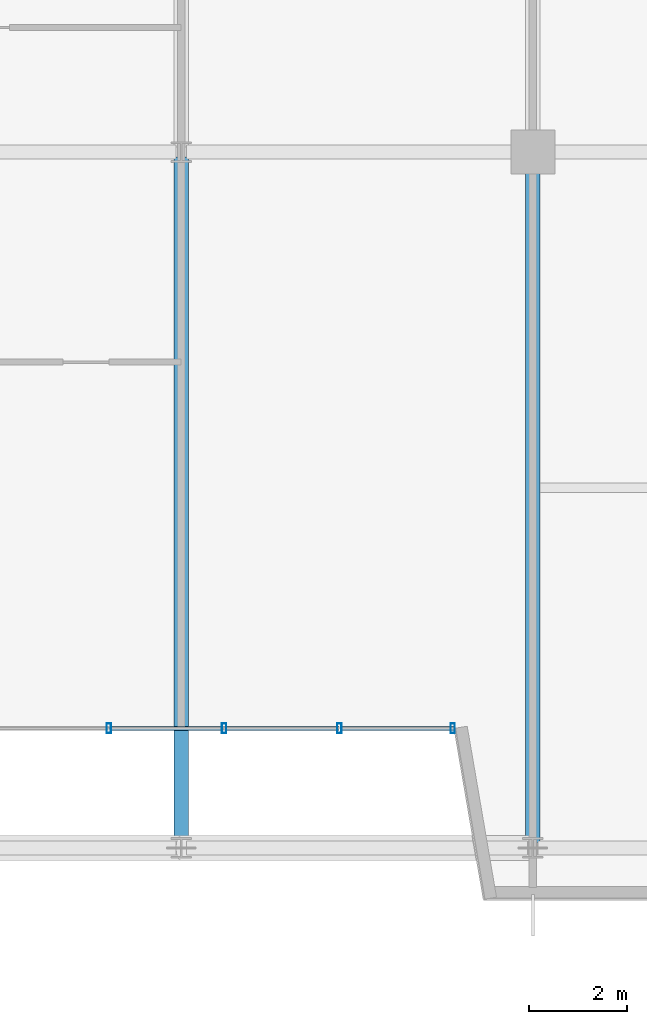
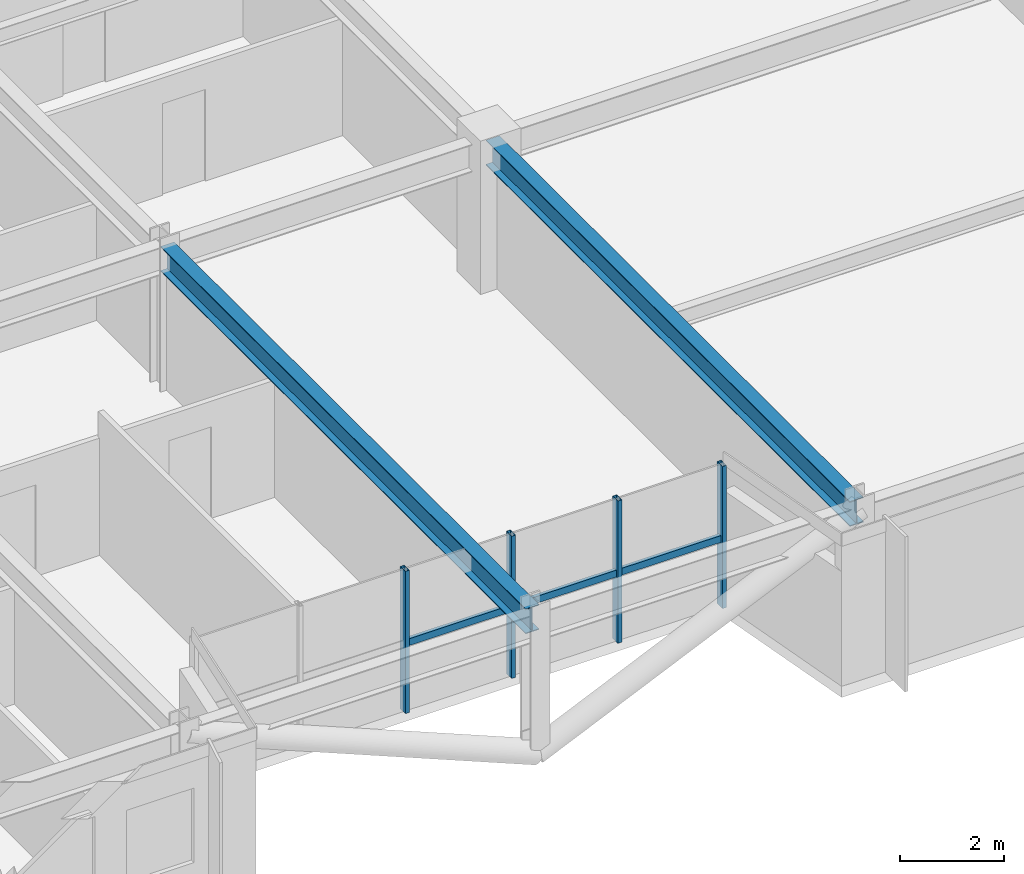
# One storey, part 6 of 25: 7 members, 2 beams, 1 element without a shape of its own.
"""IFC4 building model written with IfcOpenShell, lengths in metres."""

from ifc_helpers import new_model, si_unit, direction, frame, origin, origin_2d, place, context, subcontext, project, spatial, hollow_rectangle, i_section, extrude, source, transform, mapped, material, material_profile, profile_set, type_object, element, aggregate, save


model = new_model("IFC4")

# Units and contexts
model_context = context("Model", 3, precision=1e-05, world=origin(), true_north=direction((0.0, 1.0)))
body_context = subcontext(model_context, "Body", "Model", "MODEL_VIEW")
ifc_project = project(units=[si_unit("LENGTHUNIT", "METRE"), si_unit("AREAUNIT", "SQUARE_METRE"), si_unit("VOLUMEUNIT", "CUBIC_METRE"), si_unit("PLANEANGLEUNIT", "RADIAN"), si_unit("MASSUNIT", "GRAM", prefix="KILO")], contexts=[model_context])

# Site, building, storey
site_placement = place(None, origin())
site = spatial("IfcSite", under=ifc_project, at=site_placement, CompositionType="ELEMENT")
building_placement = place(site_placement, origin())
building = spatial("IfcBuilding", under=site, at=building_placement, Name="Trelvane Seafront Commons", CompositionType="ELEMENT")
storey_placement = place(building_placement, frame((0.0, 0.0, 66.699951171875)))
storey = spatial("IfcBuildingStorey", under=building, at=storey_placement, Name="L17", CompositionType="ELEMENT", Elevation=66.699951171875)

# Beams
ifc_material_1 = material(Name="Steel SM355 (S355)", Category="steel")
ifc_material_profile_1 = material_profile(ifc_material_1, i_section(OverallWidth=0.300048828125, OverallDepth=0.587890625, WebThickness=0.011962890625, FlangeThickness=0.02001953125, at=origin_2d()), Name="H-588x300x12x20")
ifc_profile_set_1 = profile_set([ifc_material_profile_1], Name="Steel SM355 (S355)")
beam_type = type_object("IfcBeamType", Name="STR-BM-H588", PredefinedType="BEAM", material=ifc_profile_set_1)
shared_shape_1 = source(origin(), body_context, "Body", "SweptSolid", [
    extrude(i_section(OverallWidth=0.300048828125, OverallDepth=0.587890625, WebThickness=0.011962890625, FlangeThickness=0.02001953125, at=origin_2d()), origin(), (0.0, 0.0, 1.0), 14.0400390625),
])
beam_1_placement = place(storey_placement, frame((23.39990234375, 4.054931640625, 3.046142578125), z_axis=(0.0, 1.0, 0.0), x_axis=(-1.0, 0.0, 0.0)))
element("IfcBeam", 1, at=beam_1_placement, inside=storey, type_object=beam_type, Name="L17 Primary Girder G-46", PredefinedType="BEAM", context=body_context, shape_type="MappedRepresentation", body=[
    mapped(shared_shape_1, transform((0.0, 0.0, 0.0), x_axis=(1.0, 0.0, 0.0), y_axis=(0.0, 1.0, 0.0), z_axis=(0.0, 0.0, 1.0), scale=1.0)),
])
shared_shape_2 = source(origin(), body_context, "Body", "SweptSolid", [
    extrude(i_section(OverallWidth=0.300048828125, OverallDepth=0.587890625, WebThickness=0.011962890625, FlangeThickness=0.02001953125, at=origin_2d()), origin(), (0.0, 0.0, 1.0), 13.9951171875),
])
beam_2_placement = place(storey_placement, frame((30.60009765625, 4.054931640625, 3.046142578125), z_axis=(0.0, 1.0, 0.0), x_axis=(-1.0, 0.0, 0.0)))
element("IfcBeam", 2, at=beam_2_placement, inside=storey, type_object=beam_type, Name="L17 Primary Girder G-49", PredefinedType="BEAM", context=body_context, shape_type="MappedRepresentation", body=[
    mapped(shared_shape_2, transform((0.0, 0.0, 0.0), x_axis=(1.0, 0.0, 0.0), y_axis=(0.0, 1.0, 0.0), z_axis=(0.0, 0.0, 1.0), scale=1.0)),
])

# Curtain wall, members
ifc_material_2 = material(Name="Anodised pale-silver aluminium", Category="aluminium")
curtain_wall_type = type_object("IfcCurtainWallType", Name="ARCH-CW3-PORTAL", PredefinedType="NOTDEFINED", material=ifc_material_2)
curtain_wall_placement = place(storey_placement, origin())
curtain_wall = element("IfcCurtainWall", 3, at=curtain_wall_placement, inside=storey, type_object=curtain_wall_type, Name="CW-L17-VN-0042", PredefinedType="NOTDEFINED")
ifc_material_profile_2 = material_profile(ifc_material_2, hollow_rectangle(XDim=0.090087890625, YDim=0.199951171875, WallThickness=0.0048828125, at=origin_2d()), Name="MULL-90x200x5")
ifc_profile_set_2 = profile_set([ifc_material_profile_2], Name="Anodised pale-silver aluminium")
member_type_1 = type_object("IfcMemberType", Name="ARCH-CW-MULL-200", PredefinedType="MULLION", material=ifc_profile_set_2)
shared_shape_3 = source(origin(), body_context, "Body", "SweptSolid", [
    extrude(hollow_rectangle(XDim=0.090087890625, YDim=0.199951171875, WallThickness=0.0048828125, at=origin_2d()), origin(), (0.0, 0.0, 1.0), 3.340087890625),
])
member_1_placement = place(storey_placement, frame((28.9599609375, 6.39990234375, 0.0), z_axis=(0.0, 0.0, 1.0), x_axis=(1.0, 0.0, 0.0)))
member_1 = element("IfcMember", 4, at=member_1_placement, type_object=member_type_1, Name="CW-L17-VN-0042-M00", PredefinedType="MULLION", context=body_context, shape_type="MappedRepresentation", body=[
    mapped(shared_shape_3, transform((0.0, 0.0, 0.0), x_axis=(1.0, 0.0, 0.0), y_axis=(0.0, 1.0, 0.0), z_axis=(0.0, 0.0, 1.0), scale=1.0)),
])
member_2_placement = place(storey_placement, frame((26.639892578125, 6.39990234375, 0.0), z_axis=(0.0, 0.0, 1.0), x_axis=(1.0, 0.0, 0.0)))
member_2 = element("IfcMember", 5, at=member_2_placement, type_object=member_type_1, Name="CW-L17-VN-0042-M01", PredefinedType="MULLION", context=body_context, shape_type="MappedRepresentation", body=[
    mapped(shared_shape_3, transform((0.0, 0.0, 0.0), x_axis=(1.0, 0.0, 0.0), y_axis=(0.0, 1.0, 0.0), z_axis=(0.0, 0.0, 1.0), scale=1.0)),
])
member_3_placement = place(storey_placement, frame((24.280029296875, 6.39990234375, 0.0), z_axis=(0.0, 0.0, 1.0), x_axis=(1.0, 0.0, 0.0)))
member_3 = element("IfcMember", 6, at=member_3_placement, type_object=member_type_1, Name="CW-L17-VN-0042-M02", PredefinedType="MULLION", context=body_context, shape_type="MappedRepresentation", body=[
    mapped(shared_shape_3, transform((0.0, 0.0, 0.0), x_axis=(1.0, 0.0, 0.0), y_axis=(0.0, 1.0, 0.0), z_axis=(0.0, 0.0, 1.0), scale=1.0)),
])
member_4_placement = place(storey_placement, frame((21.919921875, 6.39990234375, 0.0), z_axis=(0.0, 0.0, 1.0), x_axis=(1.0, 0.0, 0.0)))
member_4 = element("IfcMember", 7, at=member_4_placement, type_object=member_type_1, Name="CW-L17-VN-0042-M03", PredefinedType="MULLION", context=body_context, shape_type="MappedRepresentation", body=[
    mapped(shared_shape_3, transform((0.0, 0.0, 0.0), x_axis=(1.0, 0.0, 0.0), y_axis=(0.0, 1.0, 0.0), z_axis=(0.0, 0.0, 1.0), scale=1.0)),
])
ifc_material_profile_3 = material_profile(ifc_material_2, hollow_rectangle(XDim=0.080078125, YDim=0.159912109375, WallThickness=0.00439453125, at=origin_2d()), Name="TRAN-80x160x4.5")
ifc_profile_set_3 = profile_set([ifc_material_profile_3], Name="Anodised pale-silver aluminium")
member_type_2 = type_object("IfcMemberType", Name="ARCH-CW-TRAN-160", PredefinedType="USERDEFINED", material=ifc_profile_set_3)
shared_shape_4 = source(origin(), body_context, "Body", "SweptSolid", [
    extrude(hollow_rectangle(XDim=0.080078125, YDim=0.159912109375, WallThickness=0.00439453125, at=origin_2d()), origin(), (0.0, 0.0, 1.0), 2.3359375),
])
member_5_placement = place(storey_placement, frame((28.988037109375, 6.39990234375, 1.60302734375), z_axis=(-1.0, 0.0, 0.0), x_axis=(0.0, -1.0, 0.0)))
member_5 = element("IfcMember", 8, at=member_5_placement, type_object=member_type_2, Name="CW-L17-VN-0042-T00", ObjectType="TRANSOM", PredefinedType="USERDEFINED", context=body_context, shape_type="MappedRepresentation", body=[
    mapped(shared_shape_4, transform((0.0, 0.0, 0.0), x_axis=(1.0, 0.0, 0.0), y_axis=(0.0, 1.0, 0.0), z_axis=(0.0, 0.0, 1.0), scale=1.0)),
])
member_6_placement = place(storey_placement, frame((26.6279296875, 6.39990234375, 1.60302734375), z_axis=(-1.0, 0.0, 0.0), x_axis=(0.0, -1.0, 0.0)))
member_6 = element("IfcMember", 9, at=member_6_placement, type_object=member_type_2, Name="CW-L17-VN-0042-T01", ObjectType="TRANSOM", PredefinedType="USERDEFINED", context=body_context, shape_type="MappedRepresentation", body=[
    mapped(shared_shape_4, transform((0.0, 0.0, 0.0), x_axis=(1.0, 0.0, 0.0), y_axis=(0.0, 1.0, 0.0), z_axis=(0.0, 0.0, 1.0), scale=1.0)),
])
shared_shape_5 = source(origin(), body_context, "Body", "SweptSolid", [
    extrude(hollow_rectangle(XDim=0.080078125, YDim=0.159912109375, WallThickness=0.00439453125, at=origin_2d()), origin(), (0.0, 0.0, 1.0), 2.336181640625),
])
member_7_placement = place(storey_placement, frame((24.26806640625, 6.39990234375, 1.60302734375), z_axis=(-1.0, 0.0, 0.0), x_axis=(0.0, -1.0, 0.0)))
member_7 = element("IfcMember", 10, at=member_7_placement, type_object=member_type_2, Name="CW-L17-VN-0042-T02", ObjectType="TRANSOM", PredefinedType="USERDEFINED", context=body_context, shape_type="MappedRepresentation", body=[
    mapped(shared_shape_5, transform((0.0, 0.0, 0.0), x_axis=(1.0, 0.0, 0.0), y_axis=(0.0, 1.0, 0.0), z_axis=(0.0, 0.0, 1.0), scale=1.0)),
])
aggregate(curtain_wall, [member_1, member_2, member_3, member_4, member_5, member_6, member_7])

save(model, "model.ifc")
